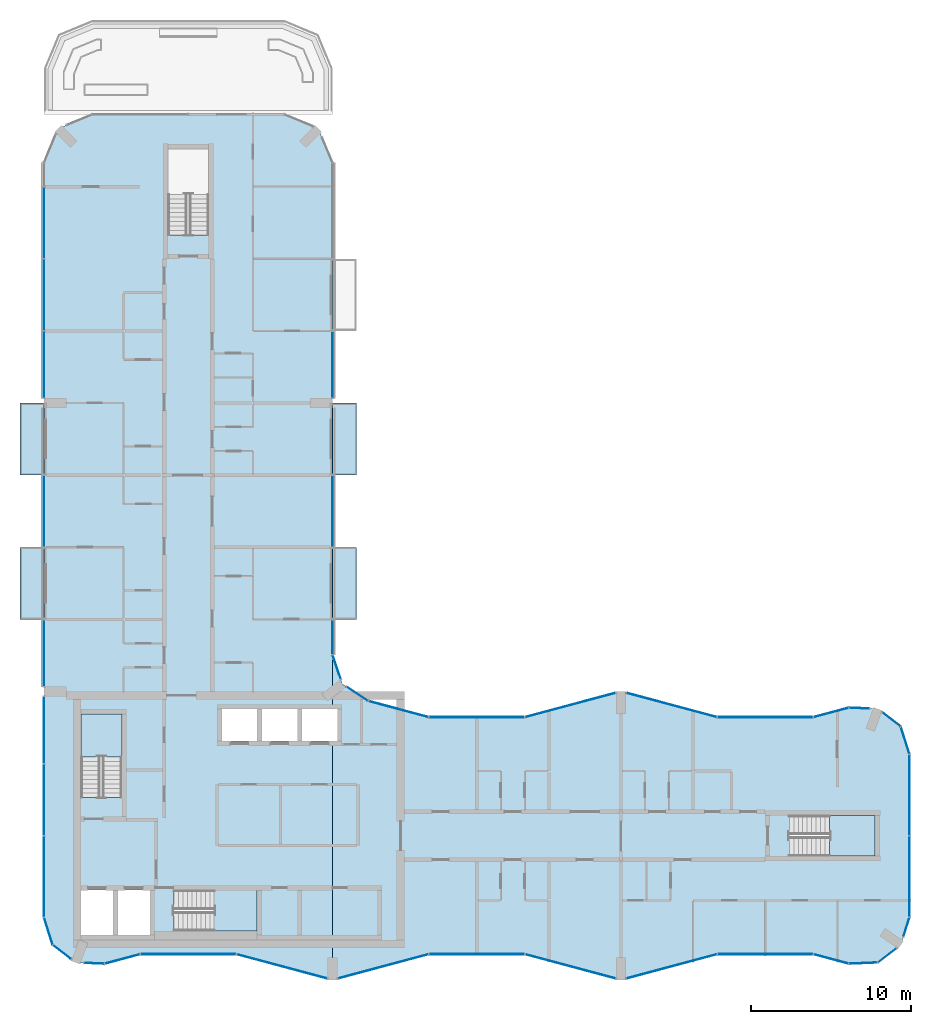
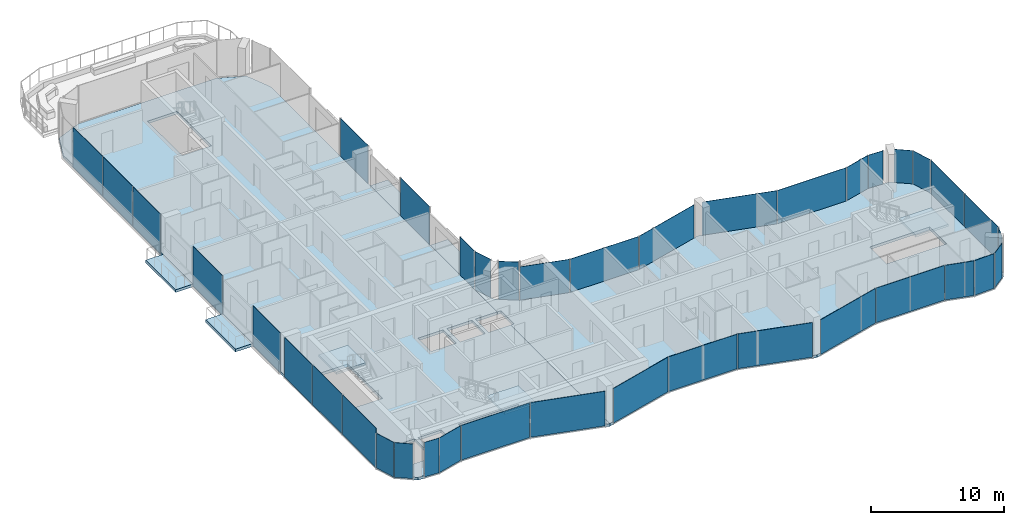
# One storey, part 8 of 17: 39 plates, 9 slabs, 37 elements without a shape of their own.
"""IFC4 building model written with IfcOpenShell, lengths in metres."""

from ifc_helpers import new_model, si_unit, direction, frame, origin, origin_2d, place, context, subcontext, project, spatial, polyline, rectangle, outline, extrude, material, layer, layer_set, type_object, element, aggregate, save


model = new_model("IFC4")

# Units and contexts
model_context = context("Model", 3, precision=1e-05, world=origin(), true_north=direction((0.0, 1.0)))
body_context = subcontext(model_context, "Body", "Model", "MODEL_VIEW")
ifc_project = project(units=[si_unit("LENGTHUNIT", "METRE"), si_unit("AREAUNIT", "SQUARE_METRE"), si_unit("VOLUMEUNIT", "CUBIC_METRE"), si_unit("PLANEANGLEUNIT", "RADIAN"), si_unit("MASSUNIT", "GRAM", prefix="KILO")], contexts=[model_context])

# Site, building, storey
site_placement = place(None, origin())
site = spatial("IfcSite", under=ifc_project, at=site_placement, CompositionType="ELEMENT")
building_placement = place(site_placement, origin())
building = spatial("IfcBuilding", under=site, at=building_placement, Name="Plateau Cross Towers", CompositionType="ELEMENT")
storey_placement = place(building_placement, frame((0.0, 0.0, 225.89990234375)))
storey = spatial("IfcBuildingStorey", under=building, at=storey_placement, Name="L59", CompositionType="ELEMENT", Elevation=225.89990234375)

# Slabs
ifc_material_1 = material(Name="Concrete C40/50", Category="concrete")
ifc_layer_1 = layer(ifc_material_1, 0.25)
ifc_layer_set_1 = layer_set([ifc_layer_1], Name="Concrete C40/50")
slab_type_1 = type_object("IfcSlabType", Name="Balcony slab 250", PredefinedType="FLOOR", material=ifc_layer_set_1)
slab_1_placement = place(storey_placement, frame((0.0, 0.0, -0.25)))
element("IfcSlab", 1, at=slab_1_placement, inside=storey, type_object=slab_type_1, Name="Balcony slab A-BAL-L59-01", PredefinedType="FLOOR", context=body_context, shape_type="SweptSolid", body=[
    extrude(outline(polyline([(0.0, 22.5), (0.0, 27.0), (-1.5, 27.0), (-1.5, 22.5), (0.0, 22.5)])), origin(), (0.0, 0.0, 1.0), 0.25),
])
slab_2_placement = place(storey_placement, frame((0.0, 0.0, -0.25)))
element("IfcSlab", 2, at=slab_2_placement, inside=storey, type_object=slab_type_1, Name="Balcony slab A-BAL-L59-02", PredefinedType="FLOOR", context=body_context, shape_type="SweptSolid", body=[
    extrude(outline(polyline([(0.0, 31.5), (0.0, 36.0), (-1.5, 36.0), (-1.5, 31.5), (0.0, 31.5)])), origin(), (0.0, 0.0, 1.0), 0.25),
])
slab_3_placement = place(storey_placement, frame((0.0, 0.0, -0.25)))
element("IfcSlab", 3, at=slab_3_placement, inside=storey, type_object=slab_type_1, Name="Balcony slab A-BAL-L59-03", PredefinedType="FLOOR", context=body_context, shape_type="SweptSolid", body=[
    extrude(outline(polyline([(19.5, 22.5), (19.5, 27.0), (18.0, 27.0), (18.0, 22.5), (19.5, 22.5)])), origin(), (0.0, 0.0, 1.0), 0.25),
])
slab_4_placement = place(storey_placement, frame((0.0, 0.0, -0.25)))
element("IfcSlab", 4, at=slab_4_placement, inside=storey, type_object=slab_type_1, Name="Balcony slab A-BAL-L59-04", PredefinedType="FLOOR", context=body_context, shape_type="SweptSolid", body=[
    extrude(outline(polyline([(19.5, 31.5), (19.5, 36.0), (18.0, 36.0), (18.0, 31.5), (19.5, 31.5)])), origin(), (0.0, 0.0, 1.0), 0.25),
])

# Curtain wall, plate
ifc_material_2 = material(Name="Dark low-iron glass", Category="glass")
ifc_layer_2 = layer(ifc_material_2, 0.239990234375)
ifc_layer_set_2 = layer_set([ifc_layer_2], Name="Dark low-iron glass")
curtain_wall_type_1 = type_object("IfcCurtainWallType", Name="Curtain wall flush unitised CW-B", PredefinedType="NOTDEFINED", material=ifc_layer_set_2)
curtain_wall_1_placement = place(storey_placement, origin())
curtain_wall_1 = element("IfcCurtainWall", 5, at=curtain_wall_1_placement, inside=storey, type_object=curtain_wall_type_1, Name="ENV/A/L59/A502_10", PredefinedType="NOTDEFINED")
ifc_layer_3 = layer(ifc_material_2, 0.031982421875)
ifc_layer_set_3 = layer_set([ifc_layer_3], Name="Dark low-iron glass")
plate_type_1 = type_object("IfcPlateType", Name="Glass panel 32 flush unitised", PredefinedType="CURTAIN_PANEL", material=ifc_layer_set_3)
plate_1_placement = place(storey_placement, frame((51.125, 1.05078125, -0.1298828125), z_axis=(0.0, 0.0, 1.0), x_axis=(0.999043701491, 0.043722791671, 0.0)))
plate_1 = element("IfcPlate", 6, at=plate_1_placement, type_object=plate_type_1, Name="CW-B panel 1", PredefinedType="CURTAIN_PANEL", context=body_context, shape_type="SweptSolid", body=[
    extrude(rectangle(XDim=1.744140625, YDim=0.031982421875, at=origin_2d()), origin(), (0.0, 0.0, 1.0), 3.179931640625),
])
aggregate(curtain_wall_1, [plate_1])

curtain_wall_2_placement = place(storey_placement, origin())
curtain_wall_2 = element("IfcCurtainWall", 7, at=curtain_wall_2_placement, inside=storey, type_object=curtain_wall_type_1, Name="ENV/A/L59/A520_11", PredefinedType="NOTDEFINED")
plate_2_placement = place(storey_placement, frame((52.60986328125, 1.5380859375, -0.1298828125), z_axis=(0.0, 0.0, 1.0), x_axis=(0.793315514529, 0.608810721331, 0.0)))
plate_2 = element("IfcPlate", 8, at=plate_2_placement, type_object=plate_type_1, Name="CW-B panel 1", PredefinedType="CURTAIN_PANEL", context=body_context, shape_type="SweptSolid", body=[
    extrude(rectangle(XDim=1.41162109375, YDim=0.031982421875, at=origin_2d()), origin(), (0.0, 0.0, 1.0), 3.179931640625),
])
aggregate(curtain_wall_2, [plate_2])

curtain_wall_3_placement = place(storey_placement, origin())
curtain_wall_3 = element("IfcCurtainWall", 9, at=curtain_wall_3_placement, inside=storey, type_object=curtain_wall_type_1, Name="ENV/A/L59/A536_27", PredefinedType="NOTDEFINED")
plate_3_placement = place(storey_placement, frame((53.805419921875, 3.292236328125, -0.1298828125), z_axis=(0.0, 0.0, 1.0), x_axis=(0.300686174994, 0.95372313811, 0.0)))
plate_3 = element("IfcPlate", 10, at=plate_3_placement, type_object=plate_type_1, Name="CW-B panel 1", PredefinedType="CURTAIN_PANEL", context=body_context, shape_type="SweptSolid", body=[
    extrude(rectangle(XDim=1.233642578125, YDim=0.031982421875, at=origin_2d()), origin(), (0.0, 0.0, 1.0), 3.179931640625),
])
aggregate(curtain_wall_3, [plate_3])

# Curtain wall, plates
curtain_wall_4_placement = place(storey_placement, origin())
curtain_wall_4 = element("IfcCurtainWall", 11, at=curtain_wall_4_placement, inside=storey, type_object=curtain_wall_type_1, Name="ENV/A/L59/A540_39", PredefinedType="NOTDEFINED")
plate_4_placement = place(storey_placement, frame((54.0, 6.45458984375, -0.1298828125), z_axis=(0.0, 0.0, 1.0), x_axis=(0.0, 1.0, 0.0)))
plate_4 = element("IfcPlate", 12, at=plate_4_placement, type_object=plate_type_1, Name="CW-B panel 1", PredefinedType="CURTAIN_PANEL", context=body_context, shape_type="SweptSolid", body=[
    extrude(rectangle(XDim=5.03076171875, YDim=0.031982421875, at=origin_2d()), origin(), (0.0, 0.0, 1.0), 3.179931640625),
])
plate_5_placement = place(storey_placement, frame((54.0, 11.54541015625, -0.1298828125), z_axis=(0.0, 0.0, 1.0), x_axis=(0.0, 1.0, 0.0)))
plate_5 = element("IfcPlate", 13, at=plate_5_placement, type_object=plate_type_1, Name="CW-B panel 2", PredefinedType="CURTAIN_PANEL", context=body_context, shape_type="SweptSolid", body=[
    extrude(rectangle(XDim=5.03076171875, YDim=0.031982421875, at=origin_2d()), origin(), (0.0, 0.0, 1.0), 3.179931640625),
])
aggregate(curtain_wall_4, [plate_4, plate_5])

# Curtain wall, plate
curtain_wall_5_placement = place(storey_placement, origin())
curtain_wall_5 = element("IfcCurtainWall", 14, at=curtain_wall_5_placement, inside=storey, type_object=curtain_wall_type_1, Name="ENV/A/L59/A540_141", PredefinedType="NOTDEFINED")
plate_6_placement = place(storey_placement, frame((53.728759765625, 14.951171875, -0.1298828125), z_axis=(0.0, 0.0, 1.0), x_axis=(-0.300686174994, 0.95372313811, 0.0)))
plate_6 = element("IfcPlate", 15, at=plate_6_placement, type_object=plate_type_1, Name="CW-B panel 1", PredefinedType="CURTAIN_PANEL", context=body_context, shape_type="SweptSolid", body=[
    extrude(rectangle(XDim=1.744140625, YDim=0.031982421875, at=origin_2d()), origin(), (0.0, 0.0, 1.0), 3.179931640625),
])
aggregate(curtain_wall_5, [plate_6])

curtain_wall_6_placement = place(storey_placement, origin())
curtain_wall_6 = element("IfcCurtainWall", 16, at=curtain_wall_6_placement, inside=storey, type_object=curtain_wall_type_1, Name="ENV/A/L59/A535_158", PredefinedType="NOTDEFINED")
plate_7_placement = place(storey_placement, frame((52.873779296875, 16.25927734375, -0.1298828125), z_axis=(0.0, 0.0, 1.0), x_axis=(-0.793315514529, 0.608810721331, 0.0)))
plate_7 = element("IfcPlate", 17, at=plate_7_placement, type_object=plate_type_1, Name="CW-B panel 1", PredefinedType="CURTAIN_PANEL", context=body_context, shape_type="SweptSolid", body=[
    extrude(rectangle(XDim=1.41162109375, YDim=0.031982421875, at=origin_2d()), origin(), (0.0, 0.0, 1.0), 3.179931640625),
])
aggregate(curtain_wall_6, [plate_7])

curtain_wall_7_placement = place(storey_placement, origin())
curtain_wall_7 = element("IfcCurtainWall", 18, at=curtain_wall_7_placement, inside=storey, type_object=curtain_wall_type_1, Name="ENV/A/L59/A515_169", PredefinedType="NOTDEFINED")
plate_8_placement = place(storey_placement, frame((50.8701171875, 16.96044921875, -0.1298828125), z_axis=(0.0, 0.0, 1.0), x_axis=(-0.999043701491, 0.043722791671, 0.0)))
plate_8 = element("IfcPlate", 19, at=plate_8_placement, type_object=plate_type_1, Name="CW-B panel 1", PredefinedType="CURTAIN_PANEL", context=body_context, shape_type="SweptSolid", body=[
    extrude(rectangle(XDim=1.233642578125, YDim=0.031982421875, at=origin_2d()), origin(), (0.0, 0.0, 1.0), 3.179931640625),
])
aggregate(curtain_wall_7, [plate_8])

curtain_wall_8_placement = place(storey_placement, origin())
curtain_wall_8 = element("IfcCurtainWall", 20, at=curtain_wall_8_placement, inside=storey, type_object=curtain_wall_type_1, Name="ENV/A/L59/A202_174", PredefinedType="NOTDEFINED")
plate_9_placement = place(storey_placement, frame((19.546630859375, 17.856689453125, -0.1298828125), z_axis=(0.0, 0.0, 1.0), x_axis=(-0.831521253329, 0.555492938984, 0.0)))
plate_9 = element("IfcPlate", 21, at=plate_9_placement, type_object=plate_type_1, Name="CW-B panel 1", PredefinedType="CURTAIN_PANEL", context=body_context, shape_type="SweptSolid", body=[
    extrude(rectangle(XDim=1.56884765625, YDim=0.031982421875, at=origin_2d()), origin(), (0.0, 0.0, 1.0), 3.6298828125),
])
aggregate(curtain_wall_8, [plate_9])

curtain_wall_9_placement = place(storey_placement, origin())
curtain_wall_9 = element("IfcCurtainWall", 22, at=curtain_wall_9_placement, inside=storey, type_object=curtain_wall_type_1, Name="ENV/A/L59/A185_188", PredefinedType="NOTDEFINED")
plate_10_placement = place(storey_placement, frame((18.26171875, 19.531005859375, -0.1298828125), z_axis=(0.0, 0.0, 1.0), x_axis=(-0.321469161574, 0.94692004845, 0.0)))
plate_10 = element("IfcPlate", 23, at=plate_10_placement, type_object=plate_type_1, Name="CW-B panel 1", PredefinedType="CURTAIN_PANEL", context=body_context, shape_type="SweptSolid", body=[
    extrude(rectangle(XDim=1.56884765625, YDim=0.031982421875, at=origin_2d()), origin(), (0.0, 0.0, 1.0), 3.6298828125),
])
aggregate(curtain_wall_9, [plate_10])

curtain_wall_10_placement = place(storey_placement, origin())
curtain_wall_10 = element("IfcCurtainWall", 24, at=curtain_wall_10_placement, inside=storey, type_object=curtain_wall_type_1, Name="ENV/A/L59/A180_203", PredefinedType="NOTDEFINED")
plate_11_placement = place(storey_placement, frame((18.0, 21.396240234375, -0.1298828125), z_axis=(0.0, 0.0, 1.0), x_axis=(0.0, 1.0, 0.0)))
plate_11 = element("IfcPlate", 25, at=plate_11_placement, type_object=plate_type_1, Name="CW-B panel 1", PredefinedType="CURTAIN_PANEL", context=body_context, shape_type="SweptSolid", body=[
    extrude(rectangle(XDim=2.127685546875, YDim=0.031982421875, at=origin_2d()), origin(), (0.0, 0.0, 1.0), 3.6298828125),
])
aggregate(curtain_wall_10, [plate_11])

curtain_wall_11_placement = place(storey_placement, origin())
curtain_wall_11 = element("IfcCurtainWall", 26, at=curtain_wall_11_placement, inside=storey, type_object=curtain_wall_type_1, Name="ENV/A/L59/A180_270", PredefinedType="NOTDEFINED")
plate_12_placement = place(storey_placement, frame((18.0, 29.25, -0.1298828125), z_axis=(0.0, 0.0, 1.0), x_axis=(0.0, 1.0, 0.0)))
plate_12 = element("IfcPlate", 27, at=plate_12_placement, type_object=plate_type_1, Name="CW-B panel 1", PredefinedType="CURTAIN_PANEL", context=body_context, shape_type="SweptSolid", body=[
    extrude(rectangle(XDim=4.419921875, YDim=0.031982421875, at=origin_2d()), origin(), (0.0, 0.0, 1.0), 3.6298828125),
])
aggregate(curtain_wall_11, [plate_12])

curtain_wall_12_placement = place(storey_placement, origin())
curtain_wall_12 = element("IfcCurtainWall", 28, at=curtain_wall_12_placement, inside=storey, type_object=curtain_wall_type_1, Name="ENV/A/L59/A180_363", PredefinedType="NOTDEFINED")
plate_13_placement = place(storey_placement, frame((18.0, 38.39501953125, -0.1298828125), z_axis=(0.0, 0.0, 1.0), x_axis=(0.0, 1.0, 0.0)))
plate_13 = element("IfcPlate", 29, at=plate_13_placement, type_object=plate_type_1, Name="CW-B panel 1", PredefinedType="CURTAIN_PANEL", context=body_context, shape_type="SweptSolid", body=[
    extrude(rectangle(XDim=4.1298828125, YDim=0.031982421875, at=origin_2d()), origin(), (0.0, 0.0, 1.0), 3.6298828125),
])
aggregate(curtain_wall_12, [plate_13])

# Curtain wall, plates
curtain_wall_13_placement = place(storey_placement, origin())
curtain_wall_13 = element("IfcCurtainWall", 30, at=curtain_wall_13_placement, inside=storey, type_object=curtain_wall_type_1, Name="ENV/A/L59/A0_510", PredefinedType="NOTDEFINED")
plate_14_placement = place(storey_placement, frame((0.0, 47.25, -0.1298828125), z_axis=(0.0, 0.0, 1.0), x_axis=(0.0, -1.0, 0.0)))
plate_14 = element("IfcPlate", 31, at=plate_14_placement, type_object=plate_type_1, Name="CW-B panel 2", PredefinedType="CURTAIN_PANEL", context=body_context, shape_type="SweptSolid", body=[
    extrude(rectangle(XDim=4.43994140625, YDim=0.031982421875, at=origin_2d()), origin(), (0.0, 0.0, 1.0), 3.6298828125),
])
plate_15_placement = place(storey_placement, frame((0.0, 42.75, -0.1298828125), z_axis=(0.0, 0.0, 1.0), x_axis=(0.0, -1.0, 0.0)))
plate_15 = element("IfcPlate", 32, at=plate_15_placement, type_object=plate_type_1, Name="CW-B panel 3", PredefinedType="CURTAIN_PANEL", context=body_context, shape_type="SweptSolid", body=[
    extrude(rectangle(XDim=4.43994140625, YDim=0.031982421875, at=origin_2d()), origin(), (0.0, 0.0, 1.0), 3.6298828125),
])
plate_16_placement = place(storey_placement, frame((0.0, 38.39990234375, -0.1298828125), z_axis=(0.0, 0.0, 1.0), x_axis=(0.0, -1.0, 0.0)))
plate_16 = element("IfcPlate", 33, at=plate_16_placement, type_object=plate_type_1, Name="CW-B panel 4", PredefinedType="CURTAIN_PANEL", context=body_context, shape_type="SweptSolid", body=[
    extrude(rectangle(XDim=4.139892578125, YDim=0.031982421875, at=origin_2d()), origin(), (0.0, 0.0, 1.0), 3.6298828125),
])
aggregate(curtain_wall_13, [plate_14, plate_15, plate_16])

# Curtain wall, plate
curtain_wall_14_placement = place(storey_placement, origin())
curtain_wall_14 = element("IfcCurtainWall", 34, at=curtain_wall_14_placement, inside=storey, type_object=curtain_wall_type_1, Name="ENV/A/L59/A0_315", PredefinedType="NOTDEFINED")
plate_17_placement = place(storey_placement, frame((0.0, 29.25, -0.1298828125), z_axis=(0.0, 0.0, 1.0), x_axis=(0.0, -1.0, 0.0)))
plate_17 = element("IfcPlate", 35, at=plate_17_placement, type_object=plate_type_1, Name="CW-B panel 1", PredefinedType="CURTAIN_PANEL", context=body_context, shape_type="SweptSolid", body=[
    extrude(rectangle(XDim=4.419921875, YDim=0.031982421875, at=origin_2d()), origin(), (0.0, 0.0, 1.0), 3.6298828125),
])
aggregate(curtain_wall_14, [plate_17])

curtain_wall_15_placement = place(storey_placement, origin())
curtain_wall_15 = element("IfcCurtainWall", 36, at=curtain_wall_15_placement, inside=storey, type_object=curtain_wall_type_1, Name="ENV/A/L59/A0_225", PredefinedType="NOTDEFINED")
plate_18_placement = place(storey_placement, frame((0.0, 20.39501953125, -0.1298828125), z_axis=(0.0, 0.0, 1.0), x_axis=(0.0, -1.0, 0.0)))
plate_18 = element("IfcPlate", 37, at=plate_18_placement, type_object=plate_type_1, Name="CW-B panel 1", PredefinedType="CURTAIN_PANEL", context=body_context, shape_type="SweptSolid", body=[
    extrude(rectangle(XDim=4.1298828125, YDim=0.031982421875, at=origin_2d()), origin(), (0.0, 0.0, 1.0), 3.6298828125),
])
aggregate(curtain_wall_15, [plate_18])

# Curtain wall, plates
curtain_wall_16_placement = place(storey_placement, origin())
curtain_wall_16 = element("IfcCurtainWall", 38, at=curtain_wall_16_placement, inside=storey, type_object=curtain_wall_type_1, Name="ENV/A/L59/A0_177", PredefinedType="NOTDEFINED")
plate_19_placement = place(storey_placement, frame((0.0, 15.60009765625, -0.1298828125), z_axis=(0.0, 0.0, 1.0), x_axis=(0.0, -1.0, 0.0)))
plate_19 = element("IfcPlate", 39, at=plate_19_placement, type_object=plate_type_1, Name="CW-B panel 1", PredefinedType="CURTAIN_PANEL", context=body_context, shape_type="SweptSolid", body=[
    extrude(rectangle(XDim=4.139892578125, YDim=0.031982421875, at=origin_2d()), origin(), (0.0, 0.0, 1.0), 3.6298828125),
])
plate_20_placement = place(storey_placement, frame((0.0, 11.25, -0.1298828125), z_axis=(0.0, 0.0, 1.0), x_axis=(0.0, -1.0, 0.0)))
plate_20 = element("IfcPlate", 40, at=plate_20_placement, type_object=plate_type_1, Name="CW-B panel 2", PredefinedType="CURTAIN_PANEL", context=body_context, shape_type="SweptSolid", body=[
    extrude(rectangle(XDim=4.43994140625, YDim=0.031982421875, at=origin_2d()), origin(), (0.0, 0.0, 1.0), 3.6298828125),
])
plate_21_placement = place(storey_placement, frame((0.0, 6.45458984375, -0.1298828125), z_axis=(0.0, 0.0, 1.0), x_axis=(0.0, -1.0, 0.0)))
plate_21 = element("IfcPlate", 41, at=plate_21_placement, type_object=plate_type_1, Name="CW-B panel 3", PredefinedType="CURTAIN_PANEL", context=body_context, shape_type="SweptSolid", body=[
    extrude(rectangle(XDim=5.03076171875, YDim=0.031982421875, at=origin_2d()), origin(), (0.0, 0.0, 1.0), 3.6298828125),
])
aggregate(curtain_wall_16, [plate_19, plate_20, plate_21])

# Curtain wall, plate
curtain_wall_17_placement = place(storey_placement, origin())
curtain_wall_17 = element("IfcCurtainWall", 42, at=curtain_wall_17_placement, inside=storey, type_object=curtain_wall_type_1, Name="ENV/A/L59/A0_39", PredefinedType="NOTDEFINED")
plate_22_placement = place(storey_placement, frame((0.271240234375, 3.048828125, -0.1298828125), z_axis=(0.0, 0.0, 1.0), x_axis=(0.300686174994, -0.95372313811, 0.0)))
plate_22 = element("IfcPlate", 43, at=plate_22_placement, type_object=plate_type_1, Name="CW-B panel 1", PredefinedType="CURTAIN_PANEL", context=body_context, shape_type="SweptSolid", body=[
    extrude(rectangle(XDim=1.744140625, YDim=0.031982421875, at=origin_2d()), origin(), (0.0, 0.0, 1.0), 3.179931640625),
])
aggregate(curtain_wall_17, [plate_22])

curtain_wall_18_placement = place(storey_placement, origin())
curtain_wall_18 = element("IfcCurtainWall", 44, at=curtain_wall_18_placement, inside=storey, type_object=curtain_wall_type_1, Name="ENV/A/L59/A5_22", PredefinedType="NOTDEFINED")
plate_23_placement = place(storey_placement, frame((1.126220703125, 1.74072265625, -0.1298828125), z_axis=(0.0, 0.0, 1.0), x_axis=(0.793315514529, -0.608810721331, 0.0)))
plate_23 = element("IfcPlate", 45, at=plate_23_placement, type_object=plate_type_1, Name="CW-B panel 1", PredefinedType="CURTAIN_PANEL", context=body_context, shape_type="SweptSolid", body=[
    extrude(rectangle(XDim=1.41162109375, YDim=0.031982421875, at=origin_2d()), origin(), (0.0, 0.0, 1.0), 3.179931640625),
])
aggregate(curtain_wall_18, [plate_23])

curtain_wall_19_placement = place(storey_placement, origin())
curtain_wall_19 = element("IfcCurtainWall", 46, at=curtain_wall_19_placement, inside=storey, type_object=curtain_wall_type_1, Name="ENV/A/L59/A25_11", PredefinedType="NOTDEFINED")
plate_24_placement = place(storey_placement, frame((3.1298828125, 1.03955078125, -0.1298828125), z_axis=(0.0, 0.0, 1.0), x_axis=(0.999043701491, -0.043722791671, 0.0)))
plate_24 = element("IfcPlate", 47, at=plate_24_placement, type_object=plate_type_1, Name="CW-B panel 1", PredefinedType="CURTAIN_PANEL", context=body_context, shape_type="SweptSolid", body=[
    extrude(rectangle(XDim=1.233642578125, YDim=0.031982421875, at=origin_2d()), origin(), (0.0, 0.0, 1.0), 3.179931640625),
])
aggregate(curtain_wall_19, [plate_24])

ifc_layer_4 = layer(ifc_material_2, 0.260009765625)
ifc_layer_set_4 = layer_set([ifc_layer_4], Name="Dark low-iron glass")
curtain_wall_type_2 = type_object("IfcCurtainWallType", Name="Curtain wall fluted unitised CW-A", PredefinedType="NOTDEFINED", material=ifc_layer_set_4)
curtain_wall_20_placement = place(storey_placement, origin())
curtain_wall_20 = element("IfcCurtainWall", 48, at=curtain_wall_20_placement, inside=storey, type_object=curtain_wall_type_2, Name="ENV/A/L59/A38_10", PredefinedType="NOTDEFINED")
ifc_layer_5 = layer(ifc_material_2, 0.035888671875)
ifc_layer_set_5 = layer_set([ifc_layer_5], Name="Dark low-iron glass")
plate_type_2 = type_object("IfcPlateType", Name="Glass panel 36 fluted unitised", PredefinedType="CURTAIN_PANEL", material=ifc_layer_set_5)
plate_25_placement = place(storey_placement, frame((4.887939453125, 1.30908203125, -0.1298828125), z_axis=(0.0, 0.0, 1.0), x_axis=(0.965957962328, 0.258699081978, 0.0)))
plate_25 = element("IfcPlate", 49, at=plate_25_placement, type_object=plate_type_2, Name="CW-A panel 1", PredefinedType="CURTAIN_PANEL", context=body_context, shape_type="SweptSolid", body=[
    extrude(rectangle(XDim=2.2421875, YDim=0.035888671875, at=origin_2d()), origin(), (0.0, 0.0, 1.0), 3.179931640625),
])
aggregate(curtain_wall_20, [plate_25])

curtain_wall_21_placement = place(storey_placement, origin())
curtain_wall_21 = element("IfcCurtainWall", 50, at=curtain_wall_21_placement, inside=storey, type_object=curtain_wall_type_2, Name="ENV/A/L59/A60_16", PredefinedType="NOTDEFINED")
plate_26_placement = place(storey_placement, frame((9.0, 1.60693359375, -0.1298828125), z_axis=(0.0, 0.0, 1.0), x_axis=(1.0, 0.0, 0.0)))
plate_26 = element("IfcPlate", 51, at=plate_26_placement, type_object=plate_type_2, Name="CW-A panel 1", PredefinedType="CURTAIN_PANEL", context=body_context, shape_type="SweptSolid", body=[
    extrude(rectangle(XDim=5.93994140625, YDim=0.035888671875, at=origin_2d()), origin(), (0.0, 0.0, 1.0), 3.179931640625),
])
aggregate(curtain_wall_21, [plate_26])

curtain_wall_22_placement = place(storey_placement, origin())
curtain_wall_22 = element("IfcCurtainWall", 52, at=curtain_wall_22_placement, inside=storey, type_object=curtain_wall_type_2, Name="ENV/A/L59/A120_16", PredefinedType="NOTDEFINED")
plate_27_placement = place(storey_placement, frame((14.841064453125, 0.845947265625, -0.1298828125), z_axis=(0.0, 0.0, 1.0), x_axis=(0.965957983404, -0.258699003279, 0.0)))
plate_27 = element("IfcPlate", 53, at=plate_27_placement, type_object=plate_type_2, Name="CW-A panel 1", PredefinedType="CURTAIN_PANEL", context=body_context, shape_type="SweptSolid", body=[
    extrude(rectangle(XDim=5.822265625, YDim=0.035888671875, at=origin_2d()), origin(), (0.0, 0.0, 1.0), 3.179931640625),
])
aggregate(curtain_wall_22, [plate_27])

curtain_wall_23_placement = place(storey_placement, origin())
curtain_wall_23 = element("IfcCurtainWall", 54, at=curtain_wall_23_placement, inside=storey, type_object=curtain_wall_type_2, Name="ENV/A/L59/A183_1", PredefinedType="NOTDEFINED")
plate_28_placement = place(storey_placement, frame((21.158935546875, 0.845947265625, -0.1298828125), z_axis=(0.0, 0.0, 1.0), x_axis=(0.965957983404, 0.258699003279, 0.0)))
plate_28 = element("IfcPlate", 55, at=plate_28_placement, type_object=plate_type_2, Name="CW-A panel 1", PredefinedType="CURTAIN_PANEL", context=body_context, shape_type="SweptSolid", body=[
    extrude(rectangle(XDim=5.822265625, YDim=0.035888671875, at=origin_2d()), origin(), (0.0, 0.0, 1.0), 3.179931640625),
])
aggregate(curtain_wall_23, [plate_28])

curtain_wall_24_placement = place(storey_placement, origin())
curtain_wall_24 = element("IfcCurtainWall", 56, at=curtain_wall_24_placement, inside=storey, type_object=curtain_wall_type_2, Name="ENV/A/L59/A240_16", PredefinedType="NOTDEFINED")
plate_29_placement = place(storey_placement, frame((27.0, 1.60693359375, -0.1298828125), z_axis=(0.0, 0.0, 1.0), x_axis=(1.0, 0.0, 0.0)))
plate_29 = element("IfcPlate", 57, at=plate_29_placement, type_object=plate_type_2, Name="CW-A panel 1", PredefinedType="CURTAIN_PANEL", context=body_context, shape_type="SweptSolid", body=[
    extrude(rectangle(XDim=5.93994140625, YDim=0.035888671875, at=origin_2d()), origin(), (0.0, 0.0, 1.0), 3.179931640625),
])
aggregate(curtain_wall_24, [plate_29])

curtain_wall_25_placement = place(storey_placement, origin())
curtain_wall_25 = element("IfcCurtainWall", 58, at=curtain_wall_25_placement, inside=storey, type_object=curtain_wall_type_2, Name="ENV/A/L59/A300_16", PredefinedType="NOTDEFINED")
plate_30_placement = place(storey_placement, frame((32.841064453125, 0.845947265625, -0.1298828125), z_axis=(0.0, 0.0, 1.0), x_axis=(0.965957983404, -0.258699003279, 0.0)))
plate_30 = element("IfcPlate", 59, at=plate_30_placement, type_object=plate_type_2, Name="CW-A panel 1", PredefinedType="CURTAIN_PANEL", context=body_context, shape_type="SweptSolid", body=[
    extrude(rectangle(XDim=5.822265625, YDim=0.035888671875, at=origin_2d()), origin(), (0.0, 0.0, 1.0), 3.179931640625),
])
aggregate(curtain_wall_25, [plate_30])

curtain_wall_26_placement = place(storey_placement, origin())
curtain_wall_26 = element("IfcCurtainWall", 60, at=curtain_wall_26_placement, inside=storey, type_object=curtain_wall_type_2, Name="ENV/A/L59/A363_1", PredefinedType="NOTDEFINED")
plate_31_placement = place(storey_placement, frame((39.158935546875, 0.845947265625, -0.1298828125), z_axis=(0.0, 0.0, 1.0), x_axis=(0.965957983404, 0.258699003279, 0.0)))
plate_31 = element("IfcPlate", 61, at=plate_31_placement, type_object=plate_type_2, Name="CW-A panel 1", PredefinedType="CURTAIN_PANEL", context=body_context, shape_type="SweptSolid", body=[
    extrude(rectangle(XDim=5.822265625, YDim=0.035888671875, at=origin_2d()), origin(), (0.0, 0.0, 1.0), 3.179931640625),
])
aggregate(curtain_wall_26, [plate_31])

curtain_wall_27_placement = place(storey_placement, origin())
curtain_wall_27 = element("IfcCurtainWall", 62, at=curtain_wall_27_placement, inside=storey, type_object=curtain_wall_type_2, Name="ENV/A/L59/A420_16", PredefinedType="NOTDEFINED")
plate_32_placement = place(storey_placement, frame((45.0, 1.60693359375, -0.1298828125), z_axis=(0.0, 0.0, 1.0), x_axis=(1.0, 0.0, 0.0)))
plate_32 = element("IfcPlate", 63, at=plate_32_placement, type_object=plate_type_2, Name="CW-A panel 1", PredefinedType="CURTAIN_PANEL", context=body_context, shape_type="SweptSolid", body=[
    extrude(rectangle(XDim=5.93994140625, YDim=0.035888671875, at=origin_2d()), origin(), (0.0, 0.0, 1.0), 3.179931640625),
])
aggregate(curtain_wall_27, [plate_32])

curtain_wall_28_placement = place(storey_placement, origin())
curtain_wall_28 = element("IfcCurtainWall", 64, at=curtain_wall_28_placement, inside=storey, type_object=curtain_wall_type_2, Name="ENV/A/L59/A480_16", PredefinedType="NOTDEFINED")
plate_33_placement = place(storey_placement, frame((49.112060546875, 1.30908203125, -0.1298828125), z_axis=(0.0, 0.0, 1.0), x_axis=(0.965957962328, -0.258699081978, 0.0)))
plate_33 = element("IfcPlate", 65, at=plate_33_placement, type_object=plate_type_2, Name="CW-A panel 1", PredefinedType="CURTAIN_PANEL", context=body_context, shape_type="SweptSolid", body=[
    extrude(rectangle(XDim=2.2421875, YDim=0.035888671875, at=origin_2d()), origin(), (0.0, 0.0, 1.0), 3.179931640625),
])
aggregate(curtain_wall_28, [plate_33])

curtain_wall_29_placement = place(storey_placement, origin())
curtain_wall_29 = element("IfcCurtainWall", 66, at=curtain_wall_29_placement, inside=storey, type_object=curtain_wall_type_2, Name="ENV/A/L59/A502_170", PredefinedType="NOTDEFINED")
plate_34_placement = place(storey_placement, frame((49.112060546875, 16.69091796875, -0.1298828125), z_axis=(0.0, 0.0, 1.0), x_axis=(-0.965957962328, -0.258699081978, 0.0)))
plate_34 = element("IfcPlate", 67, at=plate_34_placement, type_object=plate_type_2, Name="CW-A panel 1", PredefinedType="CURTAIN_PANEL", context=body_context, shape_type="SweptSolid", body=[
    extrude(rectangle(XDim=2.2421875, YDim=0.035888671875, at=origin_2d()), origin(), (0.0, 0.0, 1.0), 3.179931640625),
])
aggregate(curtain_wall_29, [plate_34])

curtain_wall_30_placement = place(storey_placement, origin())
curtain_wall_30 = element("IfcCurtainWall", 68, at=curtain_wall_30_placement, inside=storey, type_object=curtain_wall_type_2, Name="ENV/A/L59/A480_164", PredefinedType="NOTDEFINED")
plate_35_placement = place(storey_placement, frame((45.0, 16.39306640625, -0.1298828125), z_axis=(0.0, 0.0, 1.0), x_axis=(-1.0, 0.0, 0.0)))
plate_35 = element("IfcPlate", 69, at=plate_35_placement, type_object=plate_type_2, Name="CW-A panel 1", PredefinedType="CURTAIN_PANEL", context=body_context, shape_type="SweptSolid", body=[
    extrude(rectangle(XDim=5.93994140625, YDim=0.035888671875, at=origin_2d()), origin(), (0.0, 0.0, 1.0), 3.179931640625),
])
aggregate(curtain_wall_30, [plate_35])

curtain_wall_31_placement = place(storey_placement, origin())
curtain_wall_31 = element("IfcCurtainWall", 70, at=curtain_wall_31_placement, inside=storey, type_object=curtain_wall_type_2, Name="ENV/A/L59/A420_164", PredefinedType="NOTDEFINED")
plate_36_placement = place(storey_placement, frame((39.158935546875, 17.154052734375, -0.1298828125), z_axis=(0.0, 0.0, 1.0), x_axis=(-0.965957983404, 0.258699003279, 0.0)))
plate_36 = element("IfcPlate", 71, at=plate_36_placement, type_object=plate_type_2, Name="CW-A panel 1", PredefinedType="CURTAIN_PANEL", context=body_context, shape_type="SweptSolid", body=[
    extrude(rectangle(XDim=5.822265625, YDim=0.035888671875, at=origin_2d()), origin(), (0.0, 0.0, 1.0), 3.179931640625),
])
aggregate(curtain_wall_31, [plate_36])

curtain_wall_32_placement = place(storey_placement, origin())
curtain_wall_32 = element("IfcCurtainWall", 72, at=curtain_wall_32_placement, inside=storey, type_object=curtain_wall_type_2, Name="ENV/A/L59/A357_179", PredefinedType="NOTDEFINED")
plate_37_placement = place(storey_placement, frame((32.841064453125, 17.154052734375, -0.1298828125), z_axis=(0.0, 0.0, 1.0), x_axis=(-0.965957983404, -0.258699003279, 0.0)))
plate_37 = element("IfcPlate", 73, at=plate_37_placement, type_object=plate_type_2, Name="CW-A panel 1", PredefinedType="CURTAIN_PANEL", context=body_context, shape_type="SweptSolid", body=[
    extrude(rectangle(XDim=5.822265625, YDim=0.035888671875, at=origin_2d()), origin(), (0.0, 0.0, 1.0), 3.179931640625),
])
aggregate(curtain_wall_32, [plate_37])

curtain_wall_33_placement = place(storey_placement, origin())
curtain_wall_33 = element("IfcCurtainWall", 74, at=curtain_wall_33_placement, inside=storey, type_object=curtain_wall_type_2, Name="ENV/A/L59/A300_164", PredefinedType="NOTDEFINED")
plate_38_placement = place(storey_placement, frame((27.0, 16.39306640625, -0.1298828125), z_axis=(0.0, 0.0, 1.0), x_axis=(-1.0, 0.0, 0.0)))
plate_38 = element("IfcPlate", 75, at=plate_38_placement, type_object=plate_type_2, Name="CW-A panel 1", PredefinedType="CURTAIN_PANEL", context=body_context, shape_type="SweptSolid", body=[
    extrude(rectangle(XDim=5.93994140625, YDim=0.035888671875, at=origin_2d()), origin(), (0.0, 0.0, 1.0), 3.179931640625),
])
aggregate(curtain_wall_33, [plate_38])

curtain_wall_34_placement = place(storey_placement, origin())
curtain_wall_34 = element("IfcCurtainWall", 76, at=curtain_wall_34_placement, inside=storey, type_object=curtain_wall_type_2, Name="ENV/A/L59/A240_164", PredefinedType="NOTDEFINED")
plate_39_placement = place(storey_placement, frame((22.112060546875, 16.898681640625, -0.1298828125), z_axis=(0.0, 0.0, 1.0), x_axis=(-0.965957995816, 0.258698956933, 0.0)))
plate_39 = element("IfcPlate", 77, at=plate_39_placement, type_object=plate_type_2, Name="CW-A panel 1", PredefinedType="CURTAIN_PANEL", context=body_context, shape_type="SweptSolid", body=[
    extrude(rectangle(XDim=3.84912109375, YDim=0.035888671875, at=origin_2d()), origin(), (0.0, 0.0, 1.0), 3.179931640625),
])
aggregate(curtain_wall_34, [plate_39])

# Slabs
ifc_layer_6 = layer(ifc_material_1, 0.25)
ifc_layer_set_6 = layer_set([ifc_layer_6], Name="Concrete C40/50")
slab_type_2 = type_object("IfcSlabType", Name="Post-tensioned flat plate slab 250", PredefinedType="FLOOR", material=ifc_layer_set_6)
slab_5_placement = place(storey_placement, frame((0.0, 0.0, -0.25)))
element("IfcSlab", 78, at=slab_5_placement, inside=storey, type_object=slab_type_2, Name="SL-A-L59 1", PredefinedType="FLOOR", context=body_context, shape_type="SweptSolid", body=[
    extrude(outline(polyline([(0.54248046875, 2.1884765625), (0.0, 3.9091796875), (0.0, 51.0), (0.878662109375, 53.121337890625), (3.0, 54.0), (15.0, 54.0), (17.121337890625, 53.121337890625), (18.0, 51.0), (18.0, 20.30224609375), (18.0, 16.89990234375), (16.10009765625, 16.89990234375), (16.10009765625, 14.89990234375), (18.0, 14.89990234375), (18.0, 0.0), (12.0, 1.60693359375), (6.0, 1.60693359375), (3.776123046875, 1.01123046875), (1.9736328125, 1.090087890625), (0.54248046875, 2.1884765625)]), holes=[polyline([(2.300048828125, 5.60009765625), (2.300048828125, 2.800048828125), (4.300048828125, 2.800048828125), (4.300048828125, 5.60009765625), (2.300048828125, 5.60009765625)]), polyline([(4.60009765625, 5.60009765625), (4.60009765625, 2.800048828125), (6.60009765625, 2.800048828125), (6.60009765625, 5.60009765625), (4.60009765625, 5.60009765625)]), polyline([(8.10009765625, 5.60009765625), (8.10009765625, 3.050048828125), (13.300048828125, 3.050048828125), (13.300048828125, 5.60009765625), (8.10009765625, 5.60009765625)]), polyline([(2.300048828125, 11.39990234375), (4.85009765625, 11.39990234375), (4.85009765625, 16.60009765625), (2.300048828125, 16.60009765625), (2.300048828125, 11.39990234375)]), polyline([(11.10009765625, 16.89990234375), (11.10009765625, 14.89990234375), (13.300048828125, 14.89990234375), (13.300048828125, 16.89990234375), (11.10009765625, 16.89990234375)]), polyline([(13.60009765625, 16.89990234375), (13.60009765625, 14.89990234375), (15.800048828125, 14.89990234375), (15.800048828125, 16.89990234375), (13.60009765625, 16.89990234375)]), polyline([(7.72509765625, 51.699951171875), (7.72509765625, 46.5), (10.27490234375, 46.5), (10.27490234375, 51.699951171875), (7.72509765625, 51.699951171875)])]), origin(), (0.0, 0.0, 1.0), 0.25),
])
slab_6_placement = place(storey_placement, frame((0.0, 0.0, -0.25)))
element("IfcSlab", 79, at=slab_6_placement, inside=storey, type_object=slab_type_2, Name="SL-A-L59 2", PredefinedType="FLOOR", context=body_context, shape_type="SweptSolid", body=[
    extrude(outline(polyline([(18.6201171875, 18.475830078125), (20.223876953125, 17.404296875), (24.0, 16.39306640625), (30.0, 16.39306640625), (36.0, 18.0), (42.0, 16.39306640625), (48.0, 16.39306640625), (50.223876953125, 16.98876953125), (52.0263671875, 16.909912109375), (53.45751953125, 15.8115234375), (54.0, 14.0908203125), (54.0, 3.9091796875), (53.45751953125, 2.1884765625), (52.0263671875, 1.090087890625), (50.223876953125, 1.01123046875), (48.0, 1.60693359375), (42.0, 1.60693359375), (36.0, 0.0), (30.0, 1.60693359375), (24.0, 1.60693359375), (18.0, 0.0), (18.0, 14.89990234375), (18.300048828125, 14.89990234375), (18.300048828125, 16.89990234375), (18.0, 16.89990234375), (18.0, 20.30224609375), (18.6201171875, 18.475830078125)]), holes=[polyline([(46.5, 10.27490234375), (46.5, 7.72509765625), (51.699951171875, 7.72509765625), (51.699951171875, 10.27490234375), (46.5, 10.27490234375)])]), origin(), (0.0, 0.0, 1.0), 0.25),
])

# Stair, slab
stair_type = type_object("IfcStairType", Name="ST-TWR", PredefinedType="HALF_TURN_STAIR", material=ifc_material_1)
stair_1_placement = place(storey_placement, origin())
stair_1 = element("IfcStair", 80, at=stair_1_placement, inside=storey, type_object=stair_type, Name="L59 Protected Exit Stair ST-1", PredefinedType="HALF_TURN_STAIR")
ifc_layer_7 = layer(ifc_material_1, 0.199951171875)
ifc_layer_set_7 = layer_set([ifc_layer_7], Name="Concrete C40/50")
slab_type_3 = type_object("IfcSlabType", Name="SL-LANDING", PredefinedType="LANDING", material=ifc_layer_set_7)
slab_7_placement = place(storey_placement, frame((0.0, 0.0, 1.550048828125)))
slab_7 = element("IfcSlab", 81, at=slab_7_placement, type_object=slab_type_3, Name="ST-1 landing 1", PredefinedType="LANDING", context=body_context, shape_type="SweptSolid", body=[
    extrude(outline(polyline([(4.85009765625, 13.919921875), (4.85009765625, 16.60009765625), (2.300048828125, 16.60009765625), (2.300048828125, 13.919921875), (4.85009765625, 13.919921875)])), origin(), (0.0, 0.0, 1.0), 0.199951171875),
])
aggregate(stair_1, [slab_7])

stair_2_placement = place(storey_placement, origin())
stair_2 = element("IfcStair", 82, at=stair_2_placement, inside=storey, type_object=stair_type, Name="L59 Protected Exit Stair ST-2", PredefinedType="HALF_TURN_STAIR")
slab_8_placement = place(storey_placement, frame((0.0, 0.0, 1.550048828125)))
slab_8 = element("IfcSlab", 83, at=slab_8_placement, type_object=slab_type_3, Name="ST-2 landing 1", PredefinedType="LANDING", context=body_context, shape_type="SweptSolid", body=[
    extrude(outline(polyline([(10.6201171875, 3.050048828125), (13.300048828125, 3.050048828125), (13.300048828125, 5.60009765625), (10.6201171875, 5.60009765625), (10.6201171875, 3.050048828125)])), origin(), (0.0, 0.0, 1.0), 0.199951171875),
])
aggregate(stair_2, [slab_8])

stair_3_placement = place(storey_placement, origin())
stair_3 = element("IfcStair", 84, at=stair_3_placement, inside=storey, type_object=stair_type, Name="L59 Protected Exit Stair E", PredefinedType="HALF_TURN_STAIR")
slab_9_placement = place(storey_placement, frame((0.0, 0.0, 1.550048828125)))
slab_9 = element("IfcSlab", 85, at=slab_9_placement, type_object=slab_type_3, Name="ES-E landing 1", PredefinedType="LANDING", context=body_context, shape_type="SweptSolid", body=[
    extrude(outline(polyline([(49.02001953125, 7.72509765625), (51.85009765625, 7.72509765625), (51.85009765625, 10.27490234375), (49.02001953125, 10.27490234375), (49.02001953125, 7.72509765625)])), origin(), (0.0, 0.0, 1.0), 0.199951171875),
])
aggregate(stair_3, [slab_9])

save(model, "model.ifc")
